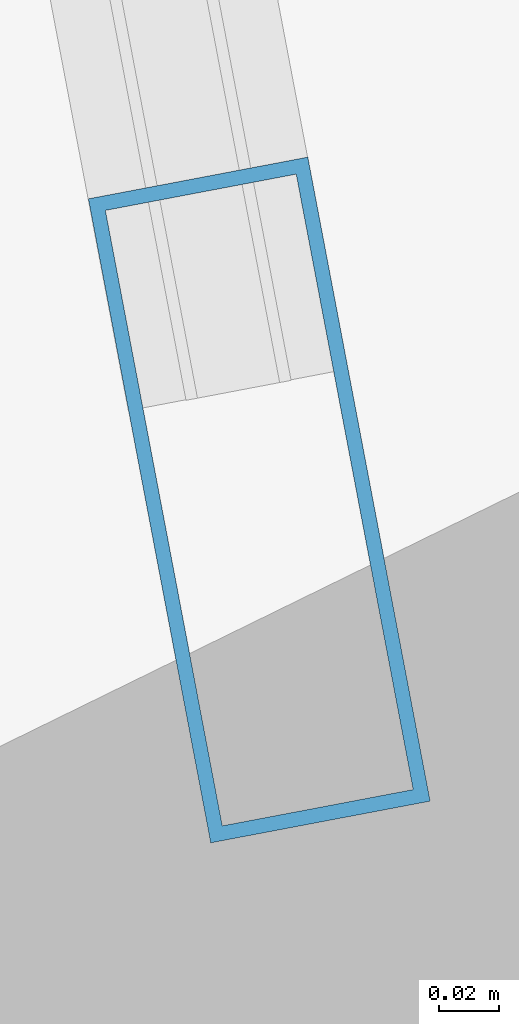
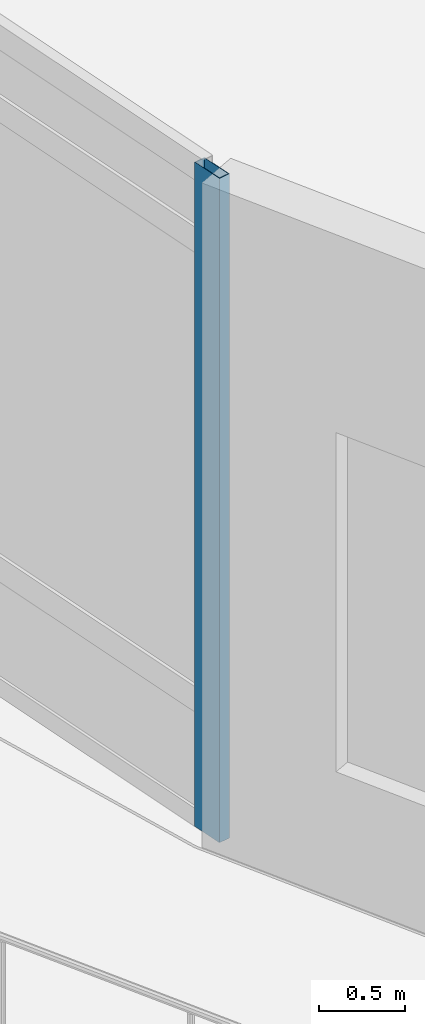
# One storey, part 5 of 37: 1 member, 1 element without a shape of its own.
"""IFC4 building model written with IfcOpenShell, lengths in metres."""

from ifc_helpers import new_model, si_unit, direction, frame, origin, origin_2d, place, context, subcontext, project, spatial, hollow_rectangle, extrude, material, layer, layer_set, material_profile, profile_set, type_object, element, aggregate, save


model = new_model("IFC4")

# Units and contexts
model_context = context("Model", 3, precision=1e-05, world=origin(), true_north=direction((0.0, 1.0)))
body_context = subcontext(model_context, "Body", "Model", "MODEL_VIEW")
ifc_project = project(units=[si_unit("LENGTHUNIT", "METRE"), si_unit("AREAUNIT", "SQUARE_METRE"), si_unit("VOLUMEUNIT", "CUBIC_METRE"), si_unit("PLANEANGLEUNIT", "RADIAN"), si_unit("MASSUNIT", "GRAM", prefix="KILO")], contexts=[model_context])

# Site, building, storey
site_placement = place(None, origin())
site = spatial("IfcSite", under=ifc_project, at=site_placement, CompositionType="ELEMENT")
building_placement = place(site_placement, origin())
building = spatial("IfcBuilding", under=site, at=building_placement, Name="Nuhasar Tower", CompositionType="ELEMENT")
storey_placement = place(building_placement, frame((0.0, 0.0, 6.0)))
storey = spatial("IfcBuildingStorey", under=building, at=storey_placement, Name="L01", CompositionType="ELEMENT", Elevation=6.0)

# Curtain wall, member
ifc_material = material(Name="Aluminium 6063-T6", Category="aluminium")
ifc_layer = layer(ifc_material, 0.219970703125)
ifc_layer_set = layer_set([ifc_layer], Name="Aluminium 6063-T6")
curtain_wall_type = type_object("IfcCurtainWallType", Name="CW-PODIUM", PredefinedType="NOTDEFINED", material=ifc_layer_set)
curtain_wall_placement = place(storey_placement, origin())
curtain_wall = element("IfcCurtainWall", 1, at=curtain_wall_placement, inside=storey, type_object=curtain_wall_type, Name="L01 Podium Curtain Wall Bay 13", PredefinedType="NOTDEFINED")
ifc_material_profile = material_profile(ifc_material, hollow_rectangle(XDim=0.074951171875, YDim=0.219970703125, WallThickness=0.0048828125, at=origin_2d()), Name="CWM-1")
ifc_profile_set = profile_set([ifc_material_profile], Name="Aluminium 6063-T6")
member_type = type_object("IfcMemberType", Name="CW-MUL-S1", PredefinedType="MULLION", material=ifc_profile_set)
member_placement = place(storey_placement, frame((1.863037109375, 19.94189453125, 0.0), z_axis=(0.0, 0.0, 1.0), x_axis=(0.982425758113, 0.186653769843, 0.0)))
member = element("IfcMember", 2, at=member_placement, type_object=member_type, Name="CW-P1 mullion 2", PredefinedType="MULLION", context=body_context, shape_type="SweptSolid", body=[
    extrude(hollow_rectangle(XDim=0.074951171875, YDim=0.219970703125, WallThickness=0.0048828125, at=origin_2d()), origin(), (0.0, 0.0, 1.0), 4.699951171875),
])
aggregate(curtain_wall, [member])

save(model, "model.ifc")
